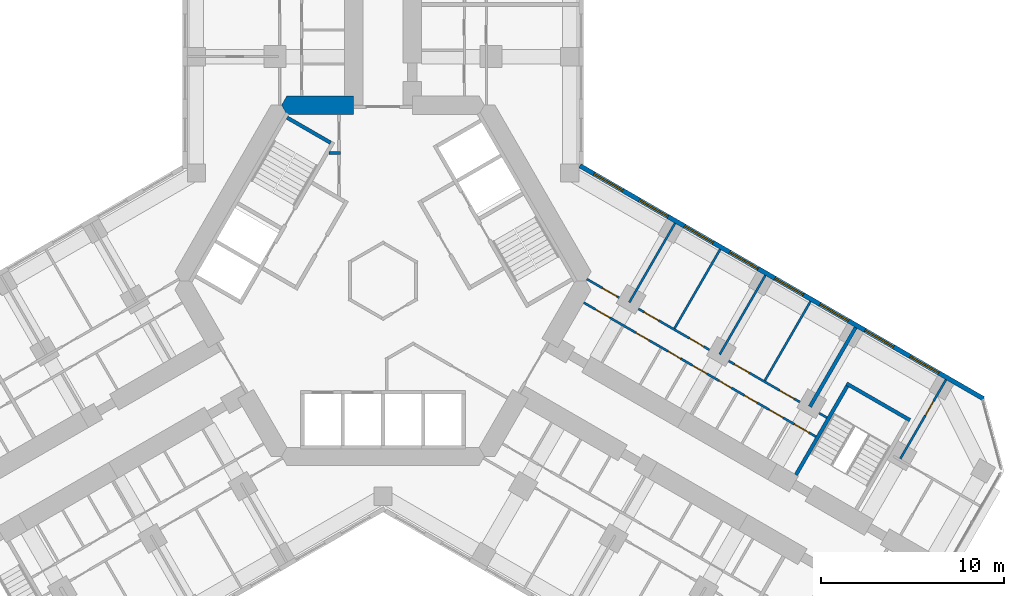
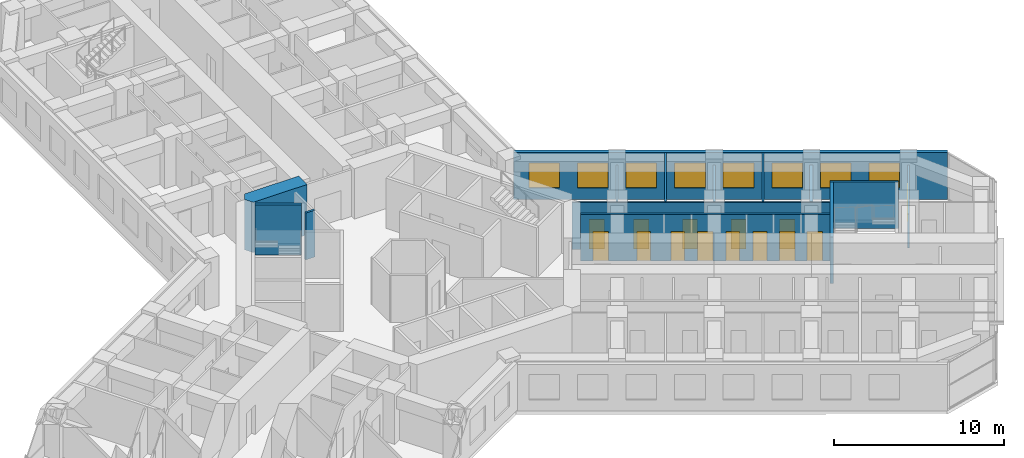
# One storey, part 16 of 21: 14 doors, 14 walls, 8 windows, 22 openings.
"""IFC4 building model written with IfcOpenShell, lengths in metres."""

import ifcopenshell
import ifcopenshell.guid

model = None  # the IFC model being written
_history = None  # IfcOwnerHistory: only IFC2X3 demands one
_inside = {}  # id of a spatial element -> (the spatial element, [elements in it])
_under = {}  # id of a project, library or spatial element -> (it, [spatial elements below it])
_declared = {}  # id of a project -> (the project, [libraries it declares])
_typed = {}  # id of a type object -> (the type object, [elements of that type])
_made_of = {}  # id of a material, layer set ... -> (it, [elements and type objects made of it])


def new_model(schema):
    """Start an empty IFC model of exactly this schema.

    Asked for "IFC4X3", IfcOpenShell would pick the latest addendum, in which some entities
    have other attributes; the version numbers below select the first issue.
    IFC2X3 requires an IfcOwnerHistory on every rooted entity: one is made here for all.
    """
    global model, _history
    if schema == "IFC4X3":
        model = ifcopenshell.file(schema_version=(4, 3, 0, 0))
    else:
        model = ifcopenshell.file(schema=schema)
    _inside.clear()
    _under.clear()
    _declared.clear()
    _typed.clear()
    _made_of.clear()
    _history = None
    if model.schema == "IFC2X3":
        org = make("IfcOrganization", Name="unknown")
        user = make(
            "IfcPersonAndOrganization",
            ThePerson=make("IfcPerson", FamilyName="unknown"),
            TheOrganization=org,
        )
        app = make(
            "IfcApplication",
            ApplicationDeveloper=org,
            Version="unknown",
            ApplicationFullName="unknown",
            ApplicationIdentifier="unknown",
        )
        _history = make(
            "IfcOwnerHistory",
            OwningUser=user,
            OwningApplication=app,
            ChangeAction="ADDED",
            CreationDate=0,
        )
    return model


def make(cls, **values):
    """One entity of the class cls with the attributes given. An attribute that is None is left unset."""
    return model.create_entity(
        cls, **{name: value for name, value in values.items() if value is not None}
    )


def rooted(cls, **values):
    """An entity with a GlobalId (a new one), such as an element, a storey or a relation."""
    return make(cls, GlobalId=ifcopenshell.guid.new(), OwnerHistory=_history, **values)


def si_unit(unit_type, name, prefix=None):
    """IfcSIUnit, for example si_unit("LENGTHUNIT", "METRE", prefix="MILLI")."""
    return make("IfcSIUnit", UnitType=unit_type, Prefix=prefix, Name=name)


def assignment(units):
    """IfcUnitAssignment: the units of a project."""
    return None if units is None else make("IfcUnitAssignment", Units=units)


def point(xyz):
    """IfcCartesianPoint."""
    return None if xyz is None else make("IfcCartesianPoint", Coordinates=xyz)


def direction(xyz):
    """IfcDirection."""
    return None if xyz is None else make("IfcDirection", DirectionRatios=xyz)


def frame(location, z_axis=None, x_axis=None):
    """IfcAxis2Placement3D, a coordinate frame: its origin and axes. An axis left out is left unset."""
    return make(
        "IfcAxis2Placement3D",
        Location=point(location),
        Axis=direction(z_axis),
        RefDirection=direction(x_axis),
    )


def frame_2d(location, x_axis=None):
    """IfcAxis2Placement2D, a coordinate frame in the plane: its origin and x axis."""
    return make(
        "IfcAxis2Placement2D", Location=point(location), RefDirection=direction(x_axis)
    )


def origin():
    """The frame at (0, 0, 0) with its axes left unset."""
    return frame((0.0, 0.0, 0.0))


def place(relative_to, where):
    """IfcLocalPlacement: puts the frame where relative to a parent placement (None: the world)."""
    return make(
        "IfcLocalPlacement", PlacementRelTo=relative_to, RelativePlacement=where
    )


def context(
    kind, dimensions, precision=None, world=None, true_north=None, identifier=None
):
    """IfcGeometricRepresentationContext, for example the 3D "Model" context."""
    return make(
        "IfcGeometricRepresentationContext",
        ContextIdentifier=identifier,
        ContextType=kind,
        CoordinateSpaceDimension=dimensions,
        Precision=precision,
        WorldCoordinateSystem=world,
        TrueNorth=true_north,
    )


def subcontext(parent, identifier, kind, view, scale=None):
    """IfcGeometricRepresentationSubContext, for example "Body" below "Model"."""
    return make(
        "IfcGeometricRepresentationSubContext",
        ContextIdentifier=identifier,
        ContextType=kind,
        ParentContext=parent,
        TargetScale=scale,
        TargetView=view,
    )


def project(units=None, contexts=None):
    """IfcProject with its units and contexts."""
    return rooted(
        "IfcProject",
        Name="project",
        RepresentationContexts=contexts,
        UnitsInContext=assignment(units),
    )


def spatial(cls, under=None, at=None, **own):
    """A site, building, storey or space (cls), placed at a placement, below another one or the project."""
    s = rooted(cls, ObjectPlacement=at, **own)
    if under is not None:
        _under.setdefault(under.id(), (under, []))[1].append(s)
    return s


def polyline(points):
    """IfcPolyline through the points."""
    return make("IfcPolyline", Points=[point(p) for p in points])


def profile(cls, at=None, kind="AREA", **sizes):
    """A parametric profile (cls). Its sizes go by their IFC names, for example OverallWidth=200.0."""
    return make(cls, ProfileType=kind, Position=at, **sizes)


def rectangle(**sizes):
    """IfcRectangleProfileDef."""
    return profile("IfcRectangleProfileDef", **sizes)


def outline(outer, holes=None, kind="AREA"):
    """IfcArbitraryClosedProfileDef: a profile drawn as a closed curve; with holes, ...WithVoids."""
    if holes is None:
        return make("IfcArbitraryClosedProfileDef", ProfileType=kind, OuterCurve=outer)
    return make(
        "IfcArbitraryProfileDefWithVoids",
        ProfileType=kind,
        OuterCurve=outer,
        InnerCurves=holes,
    )


def extrude(swept, where, along, depth):
    """IfcExtrudedAreaSolid: the profile swept, set in the frame where, extruded along a direction by depth."""
    return make(
        "IfcExtrudedAreaSolid",
        SweptArea=swept,
        Position=where,
        ExtrudedDirection=direction(along),
        Depth=depth,
    )


def shape(context_of_items, identifier, shape_type, items):
    """IfcShapeRepresentation: the items that make up one representation, for example the "Body"."""
    return make(
        "IfcShapeRepresentation",
        ContextOfItems=context_of_items,
        RepresentationIdentifier=identifier,
        RepresentationType=shape_type,
        Items=items,
    )


def material(Name=None, Category=None):
    """IfcMaterial."""
    return make("IfcMaterial", Name=Name, Category=Category)


def layer(
    of_material, thickness, ventilated=None, Name=None, Category=None, Priority=None
):
    """IfcMaterialLayer: one layer of a wall or slab, of a material (None: an air gap)."""
    return make(
        "IfcMaterialLayer",
        Material=of_material,
        LayerThickness=thickness,
        IsVentilated=ventilated,
        Name=Name,
        Category=Category,
        Priority=Priority,
    )


def layer_set(layers, Name=None):
    """IfcMaterialLayerSet."""
    return make("IfcMaterialLayerSet", MaterialLayers=layers, LayerSetName=Name)


def made_of(thing, what):
    """Note that an element or type object is made of a material, layer set ...; save() writes the relation."""
    if what is not None:
        _made_of.setdefault(what.id(), (what, []))[1].append(thing)
    return thing


def type_object(cls, material=None, **own):
    """A type object (cls), such as IfcWallType, which elements share."""
    return made_of(rooted(cls, **own), material)


def element(
    cls,
    number,
    at=None,
    inside=None,
    cuts=None,
    type_object=None,
    material=None,
    context=None,
    identifier="Body",
    shape_type=None,
    held_by="IfcProductDefinitionShape",
    body=None,
    shapes=None,
    **own,
):
    """One element of the class cls, such as IfcWall. Its Tag is "e" and its number.

    at: its placement. inside: the storey or other place that contains it. cuts: it is an
    opening in that element (IfcRelVoidsElement). A single representation is given by context,
    identifier, shape_type and body (its items); several are given by shapes. held_by: the class
    of the entity that holds the representations. save() writes the other relations.
    """
    e = rooted(cls, Tag="e%d" % number, ObjectPlacement=at, **own)
    if body is not None:
        shapes = [shape(context, identifier, shape_type, body)]
    if shapes is not None:
        e.Representation = make(held_by, Representations=shapes)
    if inside is not None:
        _inside.setdefault(inside.id(), (inside, []))[1].append(e)
    if cuts is not None:
        rooted(
            "IfcRelVoidsElement", RelatingBuildingElement=cuts, RelatedOpeningElement=e
        )
    if type_object is not None:
        _typed.setdefault(type_object.id(), (type_object, []))[1].append(e)
    return made_of(e, material)


def fill(opening, filler):
    """IfcRelFillsElement: the door or window that sits in an opening."""
    return rooted(
        "IfcRelFillsElement",
        RelatingOpeningElement=opening,
        RelatedBuildingElement=filler,
    )


def aggregate(whole, parts):
    """IfcRelAggregates: a whole, such as a stair, and the parts it consists of."""
    return rooted("IfcRelAggregates", RelatingObject=whole, RelatedObjects=parts)


def save(model, path):
    """Write the relations noted so far, then the file.

    IfcRelAggregates (storeys below a building ...), IfcRelContainedInSpatialStructure (elements
    in a storey), IfcRelDefinesByType, IfcRelAssociatesMaterial and IfcRelDeclares: one each for
    every whole, place, type object, material and project.
    """
    for whole, parts in _under.values():
        aggregate(whole, parts)
    for where, things in _inside.values():
        rooted(
            "IfcRelContainedInSpatialStructure",
            RelatedElements=things,
            RelatingStructure=where,
        )
    for kind, things in _typed.values():
        rooted("IfcRelDefinesByType", RelatedObjects=things, RelatingType=kind)
    for what, things in _made_of.values():
        rooted("IfcRelAssociatesMaterial", RelatedObjects=things, RelatingMaterial=what)
    for by, libraries in _declared.values():
        rooted("IfcRelDeclares", RelatingContext=by, RelatedDefinitions=libraries)
    model.write(path)


model = new_model("IFC4")

# Units and contexts
model_context = context("Model", 3, precision=1e-05, world=origin(), true_north=direction((0.0, 1.0)))
body_context = subcontext(model_context, "Body", "Model", "MODEL_VIEW")
ifc_project = project(units=[si_unit("LENGTHUNIT", "METRE"), si_unit("AREAUNIT", "SQUARE_METRE"), si_unit("VOLUMEUNIT", "CUBIC_METRE"), si_unit("PLANEANGLEUNIT", "RADIAN"), si_unit("MASSUNIT", "GRAM", prefix="KILO")], contexts=[model_context])

# Site, building, storey
site_placement = place(None, origin())
site = spatial("IfcSite", under=ifc_project, at=site_placement, CompositionType="ELEMENT")
building_placement = place(site_placement, origin())
building = spatial("IfcBuilding", under=site, at=building_placement, Name="Kosmar Iwan School Tower", CompositionType="ELEMENT")
storey_placement = place(building_placement, frame((0.0, 0.0, 64.60009765625)))
storey = spatial("IfcBuildingStorey", under=building, at=storey_placement, Name="L15", CompositionType="ELEMENT", Elevation=64.60009765625)

# Walls
ifc_material_1 = material(Name="Gypsum board on steel studs, fire-rated", Category="steel")
ifc_layer_1 = layer(ifc_material_1, 0.14990234375)
ifc_layer_set_1 = layer_set([ifc_layer_1], Name="Core room partition 150")
wall_type_1 = type_object("IfcWallType", Name="Core room partition 150", PredefinedType="PARTITIONING", material=ifc_layer_set_1)
wall_1_placement = place(storey_placement, frame((-2.324951171875, 6.985107421875, 0.0), z_axis=(0.0, 0.0, 1.0), x_axis=(-1.0, 0.0, 0.0)))
element("IfcWall", 1, at=wall_1_placement, inside=storey, type_object=wall_type_1, Name="Core room partition L15-CW2", PredefinedType="PARTITIONING", context=body_context, shape_type="SweptSolid", body=[
    extrude(rectangle(XDim=0.623779296875, YDim=0.14990234375, at=frame_2d((0.31201171875, 0.0))), origin(), (0.0, 0.0, 1.0), 3.349853515625),
])
ifc_material_2 = material(Name="Concrete C50/60", Category="concrete")
ifc_layer_2 = layer(ifc_material_2, 1.0)
ifc_layer_set_2 = layer_set([ifc_layer_2], Name="Core wall 1000")
wall_type_2 = type_object("IfcWallType", Name="Core wall 1000", PredefinedType="SHEAR", material=ifc_layer_set_2)
wall_2_placement = place(storey_placement, origin())
element("IfcWall", 2, at=wall_2_placement, inside=storey, type_object=wall_type_2, Name="Core wall F090b", PredefinedType="SHEAR", context=body_context, shape_type="SweptSolid", body=[
    extrude(outline(polyline([(-5.25390625, 9.10009765625), (-1.60009765625, 9.10009765625), (-1.60009765625, 10.10009765625), (-5.25390625, 10.10009765625), (-5.54248046875, 9.60009765625), (-5.25390625, 9.10009765625)])), origin(), (0.0, 0.0, 1.0), 3.599853515625),
])

# Wall, openings, doors
ifc_material_3 = material(Name="Gypsum board on steel studs", Category="steel")
ifc_layer_3 = layer(ifc_material_3, 0.1201171875)
ifc_layer_set_3 = layer_set([ifc_layer_3], Name="Dwelling partition 120")
wall_type_3 = type_object("IfcWallType", Name="Dwelling partition 120", PredefinedType="PARTITIONING", material=ifc_layer_set_3)
wall_3_placement = place(storey_placement, frame((10.971923828125, -1.1962890625, 0.0), z_axis=(0.0, 0.0, 1.0), x_axis=(0.866026568746, -0.499997982221, 0.0)))
wall_3 = element("IfcWall", 3, at=wall_3_placement, inside=storey, type_object=wall_type_3, Name="Partition L15-CL1-W1", PredefinedType="PARTITIONING", context=body_context, shape_type="SweptSolid", body=[
    extrude(rectangle(XDim=14.64990234375, YDim=0.1201171875, at=frame_2d((7.324951171875, 0.0))), origin(), (0.0, 0.0, 1.0), 3.349853515625),
])
opening_1_placement = place(wall_3_placement, frame((0.75, 0.0, 0.0)))
opening_1 = element("IfcOpeningElement", 4, at=opening_1_placement, cuts=wall_3, Name="Opening D2", PredefinedType="OPENING", context=body_context, shape_type="SweptSolid", body=[
    extrude(rectangle(XDim=0.89990234375, YDim=2.10009765625, at=frame_2d((0.449951171875, 1.050048828125))), frame((0.0, 0.072021484375, 0.0), z_axis=(0.0, -1.0, 0.0), x_axis=(1.0, 0.0, 0.0)), (0.0, 0.0, 1.0), 0.14404296875),
])
opening_2_placement = place(wall_3_placement, frame((3.304931640625, 0.0, 0.0)))
opening_2 = element("IfcOpeningElement", 5, at=opening_2_placement, cuts=wall_3, Name="Opening D3", PredefinedType="OPENING", context=body_context, shape_type="SweptSolid", body=[
    extrude(rectangle(XDim=0.800048828125, YDim=2.10009765625, at=frame_2d((0.39990234375, 1.050048828125))), frame((0.0, 0.072021484375, 0.0), z_axis=(0.0, -1.0, 0.0), x_axis=(1.0, 0.0, 0.0)), (0.0, 0.0, 1.0), 0.14404296875),
])
opening_3_placement = place(wall_3_placement, frame((5.313232421875, 0.0, 0.0)))
opening_3 = element("IfcOpeningElement", 6, at=opening_3_placement, cuts=wall_3, Name="Opening D3", PredefinedType="OPENING", context=body_context, shape_type="SweptSolid", body=[
    extrude(rectangle(XDim=0.800048828125, YDim=2.10009765625, at=frame_2d((0.39990234375, 1.050048828125))), frame((0.0, 0.072021484375, 0.0), z_axis=(0.0, -1.0, 0.0), x_axis=(1.0, 0.0, 0.0)), (0.0, 0.0, 1.0), 0.14404296875),
])
opening_4_placement = place(wall_3_placement, frame((6.8701171875, 0.0, 0.0)))
opening_4 = element("IfcOpeningElement", 7, at=opening_4_placement, cuts=wall_3, Name="Opening D2", PredefinedType="OPENING", context=body_context, shape_type="SweptSolid", body=[
    extrude(rectangle(XDim=0.89990234375, YDim=2.10009765625, at=frame_2d((0.449951171875, 1.050048828125))), frame((0.0, 0.072021484375, 0.0), z_axis=(0.0, -1.0, 0.0), x_axis=(1.0, 0.0, 0.0)), (0.0, 0.0, 1.0), 0.14404296875),
])
opening_5_placement = place(wall_3_placement, frame((8.526611328125, 0.0, 0.0)))
opening_5 = element("IfcOpeningElement", 8, at=opening_5_placement, cuts=wall_3, Name="Opening D3", PredefinedType="OPENING", context=body_context, shape_type="SweptSolid", body=[
    extrude(rectangle(XDim=0.800048828125, YDim=2.10009765625, at=frame_2d((0.39990234375, 1.050048828125))), frame((0.0, 0.072021484375, 0.0), z_axis=(0.0, -1.0, 0.0), x_axis=(1.0, 0.0, 0.0)), (0.0, 0.0, 1.0), 0.14404296875),
])
opening_6_placement = place(wall_3_placement, frame((10.13330078125, 0.0, 0.0)))
opening_6 = element("IfcOpeningElement", 9, at=opening_6_placement, cuts=wall_3, Name="Opening D3", PredefinedType="OPENING", context=body_context, shape_type="SweptSolid", body=[
    extrude(rectangle(XDim=0.800048828125, YDim=2.10009765625, at=frame_2d((0.39990234375, 1.050048828125))), frame((0.0, 0.072021484375, 0.0), z_axis=(0.0, -1.0, 0.0), x_axis=(1.0, 0.0, 0.0)), (0.0, 0.0, 1.0), 0.14404296875),
])
opening_7_placement = place(wall_3_placement, frame((11.68994140625, 0.0, 0.0)))
opening_7 = element("IfcOpeningElement", 10, at=opening_7_placement, cuts=wall_3, Name="Opening D2", PredefinedType="OPENING", context=body_context, shape_type="SweptSolid", body=[
    extrude(rectangle(XDim=0.89990234375, YDim=2.10009765625, at=frame_2d((0.449951171875, 1.050048828125))), frame((0.0, 0.072021484375, 0.0), z_axis=(0.0, -1.0, 0.0), x_axis=(1.0, 0.0, 0.0)), (0.0, 0.0, 1.0), 0.14404296875),
])
opening_8_placement = place(wall_3_placement, frame((13.296630859375, 0.0, 0.0)))
opening_8 = element("IfcOpeningElement", 11, at=opening_8_placement, cuts=wall_3, Name="Opening D2", PredefinedType="OPENING", context=body_context, shape_type="SweptSolid", body=[
    extrude(rectangle(XDim=0.89990234375, YDim=2.10009765625, at=frame_2d((0.449951171875, 1.050048828125))), frame((0.0, 0.072021484375, 0.0), z_axis=(0.0, -1.0, 0.0), x_axis=(1.0, 0.0, 0.0)), (0.0, 0.0, 1.0), 0.14404296875),
])
ifc_material_4 = material(Name="Timber door in timber frame", Category="wood")
door_type_1 = type_object("IfcDoorType", Name="Internal door 900x2100", OperationType="SINGLE_SWING_LEFT", PredefinedType="DOOR", material=ifc_material_4)
door_1_placement = place(opening_1_placement, origin())
door_1 = element("IfcDoor", 12, at=door_1_placement, inside=storey, type_object=door_type_1, Name="Entrance hall door L15-CL1-S1", OperationType="SINGLE_SWING_LEFT", OverallHeight=2.10009765625, OverallWidth=0.89990234375, PredefinedType="DOOR", context=body_context, shape_type="SweptSolid", body=[
    extrude(rectangle(XDim=0.89990234375, YDim=2.10009765625, at=frame_2d((0.449951171875, 1.050048828125))), frame((0.0, 0.02490234375, 0.0), z_axis=(0.0, -1.0, 0.0), x_axis=(1.0, 0.0, 0.0)), (0.0, 0.0, 1.0), 0.050048828125),
])
fill(opening_1, door_1)
door_2_placement = place(opening_4_placement, origin())
door_2 = element("IfcDoor", 13, at=door_2_placement, inside=storey, type_object=door_type_1, Name="Pantry door L15-CL1-S4", OperationType="SINGLE_SWING_LEFT", OverallHeight=2.10009765625, OverallWidth=0.89990234375, PredefinedType="DOOR", context=body_context, shape_type="SweptSolid", body=[
    extrude(rectangle(XDim=0.89990234375, YDim=2.10009765625, at=frame_2d((0.449951171875, 1.050048828125))), frame((0.0, 0.02490234375, 0.0), z_axis=(0.0, -1.0, 0.0), x_axis=(1.0, 0.0, 0.0)), (0.0, 0.0, 1.0), 0.050048828125),
])
fill(opening_4, door_2)
door_3_placement = place(opening_7_placement, origin())
door_3 = element("IfcDoor", 14, at=door_3_placement, inside=storey, type_object=door_type_1, Name="Utility room door L15-CL1-S7", OperationType="SINGLE_SWING_RIGHT", OverallHeight=2.10009765625, OverallWidth=0.89990234375, PredefinedType="DOOR", context=body_context, shape_type="SweptSolid", body=[
    extrude(rectangle(XDim=0.89990234375, YDim=2.10009765625, at=frame_2d((0.449951171875, 1.050048828125))), frame((0.0, 0.02490234375, 0.0), z_axis=(0.0, -1.0, 0.0), x_axis=(1.0, 0.0, 0.0)), (0.0, 0.0, 1.0), 0.050048828125),
])
fill(opening_7, door_3)
door_4_placement = place(opening_8_placement, frame((0.89990234375, 0.0, 0.0), z_axis=(0.0, 0.0, 1.0), x_axis=(-1.0, 0.0, 0.0)))
door_4 = element("IfcDoor", 15, at=door_4_placement, inside=storey, type_object=door_type_1, Name="Dressing room door L15-CL1-S8", OperationType="SINGLE_SWING_LEFT", OverallHeight=2.10009765625, OverallWidth=0.89990234375, PredefinedType="DOOR", context=body_context, shape_type="SweptSolid", body=[
    extrude(rectangle(XDim=0.89990234375, YDim=2.10009765625, at=frame_2d((0.449951171875, 1.050048828125))), frame((0.0, 0.02490234375, 0.0), z_axis=(0.0, -1.0, 0.0), x_axis=(1.0, 0.0, 0.0)), (0.0, 0.0, 1.0), 0.050048828125),
])
fill(opening_8, door_4)
ifc_material_5 = material(Name="Timber door in timber frame", Category="wood")
door_type_2 = type_object("IfcDoorType", Name="Sanitary room door 800x2100", OperationType="SINGLE_SWING_LEFT", PredefinedType="DOOR", material=ifc_material_5)
door_5_placement = place(opening_2_placement, origin())
door_5 = element("IfcDoor", 16, at=door_5_placement, inside=storey, type_object=door_type_2, Name="Bathroom door L15-CL1-S2", OperationType="SINGLE_SWING_LEFT", OverallHeight=2.10009765625, OverallWidth=0.800048828125, PredefinedType="DOOR", context=body_context, shape_type="SweptSolid", body=[
    extrude(rectangle(XDim=0.800048828125, YDim=2.10009765625, at=frame_2d((0.39990234375, 1.050048828125))), frame((0.0, 0.02490234375, 0.0), z_axis=(0.0, -1.0, 0.0), x_axis=(1.0, 0.0, 0.0)), (0.0, 0.0, 1.0), 0.050048828125),
])
fill(opening_2, door_5)
door_6_placement = place(opening_3_placement, origin())
door_6 = element("IfcDoor", 17, at=door_6_placement, inside=storey, type_object=door_type_2, Name="Shower room door L15-CL1-S3", OperationType="SINGLE_SWING_LEFT", OverallHeight=2.10009765625, OverallWidth=0.800048828125, PredefinedType="DOOR", context=body_context, shape_type="SweptSolid", body=[
    extrude(rectangle(XDim=0.800048828125, YDim=2.10009765625, at=frame_2d((0.39990234375, 1.050048828125))), frame((0.0, 0.02490234375, 0.0), z_axis=(0.0, -1.0, 0.0), x_axis=(1.0, 0.0, 0.0)), (0.0, 0.0, 1.0), 0.050048828125),
])
fill(opening_3, door_6)
door_7_placement = place(opening_5_placement, origin())
door_7 = element("IfcDoor", 18, at=door_7_placement, inside=storey, type_object=door_type_2, Name="WC door L15-CL1-S5", OperationType="SINGLE_SWING_RIGHT", OverallHeight=2.10009765625, OverallWidth=0.800048828125, PredefinedType="DOOR", context=body_context, shape_type="SweptSolid", body=[
    extrude(rectangle(XDim=0.800048828125, YDim=2.10009765625, at=frame_2d((0.39990234375, 1.050048828125))), frame((0.0, 0.02490234375, 0.0), z_axis=(0.0, -1.0, 0.0), x_axis=(1.0, 0.0, 0.0)), (0.0, 0.0, 1.0), 0.050048828125),
])
fill(opening_5, door_7)
door_8_placement = place(opening_6_placement, origin())
door_8 = element("IfcDoor", 19, at=door_8_placement, inside=storey, type_object=door_type_2, Name="Store door L15-CL1-S6", OperationType="SINGLE_SWING_RIGHT", OverallHeight=2.10009765625, OverallWidth=0.800048828125, PredefinedType="DOOR", context=body_context, shape_type="SweptSolid", body=[
    extrude(rectangle(XDim=0.800048828125, YDim=2.10009765625, at=frame_2d((0.39990234375, 1.050048828125))), frame((0.0, 0.02490234375, 0.0), z_axis=(0.0, -1.0, 0.0), x_axis=(1.0, 0.0, 0.0)), (0.0, 0.0, 1.0), 0.050048828125),
])
fill(opening_6, door_8)

wall_4_placement = place(storey_placement, frame((11.138916015625, 0.093017578125, 0.0), z_axis=(0.0, 0.0, 1.0), x_axis=(0.866024032363, -0.500002375365, 0.0)))
wall_4 = element("IfcWall", 20, at=wall_4_placement, inside=storey, type_object=wall_type_3, Name="Partition L15-CL1-W2", PredefinedType="PARTITIONING", context=body_context, shape_type="SweptSolid", body=[
    extrude(rectangle(XDim=15.14990234375, YDim=0.1201171875, at=frame_2d((7.574951171875, 0.0))), origin(), (0.0, 0.0, 1.0), 3.349853515625),
])
opening_9_placement = place(wall_4_placement, frame((1.0, 0.0, 0.0)))
opening_9 = element("IfcOpeningElement", 21, at=opening_9_placement, cuts=wall_4, Name="Opening D2", PredefinedType="OPENING", context=body_context, shape_type="SweptSolid", body=[
    extrude(rectangle(XDim=0.89990234375, YDim=2.10009765625, at=frame_2d((0.449951171875, 1.050048828125))), frame((0.0, 0.072021484375, 0.0), z_axis=(0.0, -1.0, 0.0), x_axis=(1.0, 0.0, 0.0)), (0.0, 0.0, 1.0), 0.14404296875),
])
opening_10_placement = place(wall_4_placement, frame((3.625, 0.0, 0.0)))
opening_10 = element("IfcOpeningElement", 22, at=opening_10_placement, cuts=wall_4, Name="Opening D2", PredefinedType="OPENING", context=body_context, shape_type="SweptSolid", body=[
    extrude(rectangle(XDim=0.89990234375, YDim=2.10009765625, at=frame_2d((0.449951171875, 1.050048828125))), frame((0.0, 0.072021484375, 0.0), z_axis=(0.0, -1.0, 0.0), x_axis=(1.0, 0.0, 0.0)), (0.0, 0.0, 1.0), 0.14404296875),
])
opening_11_placement = place(wall_4_placement, frame((6.47509765625, 0.0, 0.0)))
opening_11 = element("IfcOpeningElement", 23, at=opening_11_placement, cuts=wall_4, Name="Opening D2", PredefinedType="OPENING", context=body_context, shape_type="SweptSolid", body=[
    extrude(rectangle(XDim=0.89990234375, YDim=2.10009765625, at=frame_2d((0.449951171875, 1.050048828125))), frame((0.0, 0.072021484375, 0.0), z_axis=(0.0, -1.0, 0.0), x_axis=(1.0, 0.0, 0.0)), (0.0, 0.0, 1.0), 0.14404296875),
])
opening_12_placement = place(wall_4_placement, frame((9.324951171875, 0.0, 0.0)))
opening_12 = element("IfcOpeningElement", 24, at=opening_12_placement, cuts=wall_4, Name="Opening D2", PredefinedType="OPENING", context=body_context, shape_type="SweptSolid", body=[
    extrude(rectangle(XDim=0.89990234375, YDim=2.10009765625, at=frame_2d((0.449951171875, 1.050048828125))), frame((0.0, 0.072021484375, 0.0), z_axis=(0.0, -1.0, 0.0), x_axis=(1.0, 0.0, 0.0)), (0.0, 0.0, 1.0), 0.14404296875),
])
opening_13_placement = place(wall_4_placement, frame((12.175048828125, 0.0, 0.0)))
opening_13 = element("IfcOpeningElement", 25, at=opening_13_placement, cuts=wall_4, Name="Opening D2", PredefinedType="OPENING", context=body_context, shape_type="SweptSolid", body=[
    extrude(rectangle(XDim=0.89990234375, YDim=2.10009765625, at=frame_2d((0.449951171875, 1.050048828125))), frame((0.0, 0.072021484375, 0.0), z_axis=(0.0, -1.0, 0.0), x_axis=(1.0, 0.0, 0.0)), (0.0, 0.0, 1.0), 0.14404296875),
])
door_9_placement = place(opening_9_placement, origin())
door_9 = element("IfcDoor", 26, at=door_9_placement, inside=storey, type_object=door_type_1, Name="Family room door L15-CL1-F1", OperationType="SINGLE_SWING_LEFT", OverallHeight=2.10009765625, OverallWidth=0.89990234375, PredefinedType="DOOR", context=body_context, shape_type="SweptSolid", body=[
    extrude(rectangle(XDim=0.89990234375, YDim=2.10009765625, at=frame_2d((0.449951171875, 1.050048828125))), frame((0.0, 0.02490234375, 0.0), z_axis=(0.0, -1.0, 0.0), x_axis=(1.0, 0.0, 0.0)), (0.0, 0.0, 1.0), 0.050048828125),
])
fill(opening_9, door_9)
door_10_placement = place(opening_10_placement, origin())
door_10 = element("IfcDoor", 27, at=door_10_placement, inside=storey, type_object=door_type_1, Name="Study door L15-CL1-F2", OperationType="SINGLE_SWING_LEFT", OverallHeight=2.10009765625, OverallWidth=0.89990234375, PredefinedType="DOOR", context=body_context, shape_type="SweptSolid", body=[
    extrude(rectangle(XDim=0.89990234375, YDim=2.10009765625, at=frame_2d((0.449951171875, 1.050048828125))), frame((0.0, 0.02490234375, 0.0), z_axis=(0.0, -1.0, 0.0), x_axis=(1.0, 0.0, 0.0)), (0.0, 0.0, 1.0), 0.050048828125),
])
fill(opening_10, door_10)
door_11_placement = place(opening_11_placement, origin())
door_11 = element("IfcDoor", 28, at=door_11_placement, inside=storey, type_object=door_type_1, Name="Bedroom 1 door L15-CL1-F3", OperationType="SINGLE_SWING_RIGHT", OverallHeight=2.10009765625, OverallWidth=0.89990234375, PredefinedType="DOOR", context=body_context, shape_type="SweptSolid", body=[
    extrude(rectangle(XDim=0.89990234375, YDim=2.10009765625, at=frame_2d((0.449951171875, 1.050048828125))), frame((0.0, 0.02490234375, 0.0), z_axis=(0.0, -1.0, 0.0), x_axis=(1.0, 0.0, 0.0)), (0.0, 0.0, 1.0), 0.050048828125),
])
fill(opening_11, door_11)
door_12_placement = place(opening_12_placement, origin())
door_12 = element("IfcDoor", 29, at=door_12_placement, inside=storey, type_object=door_type_1, Name="Living room and kitchen door L15-CL1-F4", OperationType="SINGLE_SWING_LEFT", OverallHeight=2.10009765625, OverallWidth=0.89990234375, PredefinedType="DOOR", context=body_context, shape_type="SweptSolid", body=[
    extrude(rectangle(XDim=0.89990234375, YDim=2.10009765625, at=frame_2d((0.449951171875, 1.050048828125))), frame((0.0, 0.02490234375, 0.0), z_axis=(0.0, -1.0, 0.0), x_axis=(1.0, 0.0, 0.0)), (0.0, 0.0, 1.0), 0.050048828125),
])
fill(opening_12, door_12)
door_13_placement = place(opening_13_placement, origin())
door_13 = element("IfcDoor", 30, at=door_13_placement, inside=storey, type_object=door_type_1, Name="Bedroom 2 door L15-CL1-F5", OperationType="SINGLE_SWING_RIGHT", OverallHeight=2.10009765625, OverallWidth=0.89990234375, PredefinedType="DOOR", context=body_context, shape_type="SweptSolid", body=[
    extrude(rectangle(XDim=0.89990234375, YDim=2.10009765625, at=frame_2d((0.449951171875, 1.050048828125))), frame((0.0, 0.02490234375, 0.0), z_axis=(0.0, -1.0, 0.0), x_axis=(1.0, 0.0, 0.0)), (0.0, 0.0, 1.0), 0.050048828125),
])
fill(opening_13, door_13)

# Walls
wall_5_placement = place(storey_placement, frame((13.4638671875, -1.179931640625, 0.0), z_axis=(0.0, 0.0, 1.0), x_axis=(0.499996339024, 0.86602751744, 0.0)))
element("IfcWall", 31, at=wall_5_placement, inside=storey, type_object=wall_type_3, Name="Partition L15-CL1-X1", PredefinedType="PARTITIONING", context=body_context, shape_type="SweptSolid", body=[
    extrude(rectangle(XDim=4.98974609375, YDim=0.1201171875, at=frame_2d((2.494873046875, 0.0))), origin(), (0.0, 0.0, 1.0), 2.449951171875),
])
wall_6_placement = place(storey_placement, frame((15.931884765625, -2.60498046875, 0.0), z_axis=(0.0, 0.0, 1.0), x_axis=(0.500011847778, 0.866018563358, 0.0)))
element("IfcWall", 32, at=wall_6_placement, inside=storey, type_object=wall_type_3, Name="Partition L15-CL1-X2", PredefinedType="PARTITIONING", context=body_context, shape_type="SweptSolid", body=[
    extrude(rectangle(XDim=4.990234375, YDim=0.1201171875, at=frame_2d((2.4951171875, 0.0))), origin(), (0.0, 0.0, 1.0), 3.349853515625),
])
wall_7_placement = place(storey_placement, frame((18.400146484375, -4.030029296875, 0.0), z_axis=(0.0, 0.0, 1.0), x_axis=(0.500011847778, 0.866018563358, 0.0)))
element("IfcWall", 33, at=wall_7_placement, inside=storey, type_object=wall_type_3, Name="Partition L15-CL1-X3", PredefinedType="PARTITIONING", context=body_context, shape_type="SweptSolid", body=[
    extrude(rectangle(XDim=4.990234375, YDim=0.1201171875, at=frame_2d((2.4951171875, 0.0))), origin(), (0.0, 0.0, 1.0), 2.449951171875),
])
wall_8_placement = place(storey_placement, frame((20.868408203125, -5.455078125, 0.0), z_axis=(0.0, 0.0, 1.0), x_axis=(0.499975153383, 0.86603974851, 0.0)))
element("IfcWall", 34, at=wall_8_placement, inside=storey, type_object=wall_type_3, Name="Partition L15-CL1-X4", PredefinedType="PARTITIONING", context=body_context, shape_type="SweptSolid", body=[
    extrude(rectangle(XDim=4.989990234375, YDim=0.1201171875, at=frame_2d((2.4951171875, 0.0))), origin(), (0.0, 0.0, 1.0), 3.349853515625),
])

# Wall, opening, door
wall_9_placement = place(storey_placement, frame((28.27294921875, -9.72998046875, 0.0), z_axis=(0.0, 0.0, 1.0), x_axis=(0.499975153383, 0.86603974851, 0.0)))
wall_9 = element("IfcWall", 35, at=wall_9_placement, inside=storey, type_object=wall_type_3, Name="Partition L15-CL2-TX", PredefinedType="PARTITIONING", context=body_context, shape_type="SweptSolid", body=[
    extrude(rectangle(XDim=4.989990234375, YDim=0.1201171875, at=frame_2d((2.4951171875, 0.0))), origin(), (0.0, 0.0, 1.0), 2.449951171875),
])
opening_14_placement = place(wall_9_placement, frame((2.739990234375, 0.0, 0.0)))
opening_14 = element("IfcOpeningElement", 36, at=opening_14_placement, cuts=wall_9, Name="Opening D2", PredefinedType="OPENING", context=body_context, shape_type="SweptSolid", body=[
    extrude(rectangle(XDim=0.89990234375, YDim=2.10009765625, at=frame_2d((0.449951171875, 1.050048828125))), frame((0.0, 0.072021484375, 0.0), z_axis=(0.0, -1.0, 0.0), x_axis=(1.0, 0.0, 0.0)), (0.0, 0.0, 1.0), 0.14404296875),
])
door_14_placement = place(opening_14_placement, origin())
door_14 = element("IfcDoor", 37, at=door_14_placement, inside=storey, type_object=door_type_1, Name="Bedroom 1 door L15-CL2-T1", OperationType="SINGLE_SWING_RIGHT", OverallHeight=2.10009765625, OverallWidth=0.89990234375, PredefinedType="DOOR", context=body_context, shape_type="SweptSolid", body=[
    extrude(rectangle(XDim=0.89990234375, YDim=2.10009765625, at=frame_2d((0.449951171875, 1.050048828125))), frame((0.0, 0.02490234375, 0.0), z_axis=(0.0, -1.0, 0.0), x_axis=(1.0, 0.0, 0.0)), (0.0, 0.0, 1.0), 0.050048828125),
])
fill(opening_14, door_14)

# Walls
ifc_material_6 = material(Name="Concrete C35/45", Category="concrete")
ifc_layer_4 = layer(ifc_material_6, 0.199951171875)
ifc_layer_set_4 = layer_set([ifc_layer_4], Name="Escape stair wall 200")
wall_type_4 = type_object("IfcWallType", Name="Escape stair wall 200", PredefinedType="SHEAR", material=ifc_layer_set_4)
wall_10_placement = place(storey_placement, frame((22.57080078125, -10.6064453125, 0.0), z_axis=(0.0, 0.0, 1.0), x_axis=(0.499987231761, 0.866032775405, 0.0)))
element("IfcWall", 38, at=wall_10_placement, inside=storey, type_object=wall_type_4, Name="Stair WS3 wall", PredefinedType="SHEAR", context=body_context, shape_type="SweptSolid", body=[
    extrude(rectangle(XDim=5.800048828125, YDim=0.199951171875, at=frame_2d((2.89990234375, 0.0))), origin(), (0.0, 0.0, 1.0), 3.329833984375),
])
wall_11_placement = place(storey_placement, frame((25.334228515625, -5.6201171875, 0.0), z_axis=(0.0, 0.0, 1.0), x_axis=(0.866026010844, -0.49999894854, 0.0)))
element("IfcWall", 39, at=wall_11_placement, inside=storey, type_object=wall_type_4, Name="Stair WS3 wall", PredefinedType="SHEAR", context=body_context, shape_type="SweptSolid", body=[
    extrude(rectangle(XDim=4.0, YDim=0.199951171875, at=frame_2d((2.0, 0.0))), origin(), (0.0, 0.0, 1.0), 3.329833984375),
])

# Wall, openings, windows
ifc_material_7 = material(Name="Black aluminium rainscreen on insulated framing", Category="aluminium")
ifc_layer_5 = layer(ifc_material_7, 0.25)
ifc_layer_set_5 = layer_set([ifc_layer_5], Name="External wall rainscreen 250")
wall_type_5 = type_object("IfcWallType", Name="External wall rainscreen 250", PredefinedType="SOLIDWALL", material=ifc_layer_set_5)
wall_12_placement = place(storey_placement, frame((10.762451171875, 6.285888671875, 0.0), z_axis=(0.0, 0.0, 1.0), x_axis=(0.866027962024, -0.499995568972, 0.0)))
wall_12 = element("IfcWall", 40, at=wall_12_placement, inside=storey, type_object=wall_type_5, Name="External wall CL L15", PredefinedType="SOLIDWALL", context=body_context, shape_type="SweptSolid", body=[
    extrude(rectangle(XDim=25.457763671875, YDim=0.25, at=frame_2d((12.72900390625, 0.0))), origin(), (0.0, 0.0, 1.0), 3.349853515625),
])
opening_15_placement = place(wall_12_placement, frame((0.8974609375, 0.0, 0.800048828125)))
opening_15 = element("IfcOpeningElement", 41, at=opening_15_placement, cuts=wall_12, Name="Opening W1", PredefinedType="OPENING", context=body_context, shape_type="SweptSolid", body=[
    extrude(rectangle(XDim=1.800048828125, YDim=1.800048828125, at=frame_2d((0.89990234375, 0.89990234375))), frame((0.0, 0.136962890625, 0.0), z_axis=(0.0, -1.0, 0.0), x_axis=(1.0, 0.0, 0.0)), (0.0, 0.0, 1.0), 0.27392578125),
])
opening_16_placement = place(wall_12_placement, frame((3.747314453125, 0.0, 0.800048828125)))
opening_16 = element("IfcOpeningElement", 42, at=opening_16_placement, cuts=wall_12, Name="Opening W1", PredefinedType="OPENING", context=body_context, shape_type="SweptSolid", body=[
    extrude(rectangle(XDim=1.800048828125, YDim=1.800048828125, at=frame_2d((0.89990234375, 0.89990234375))), frame((0.0, 0.136962890625, 0.0), z_axis=(0.0, -1.0, 0.0), x_axis=(1.0, 0.0, 0.0)), (0.0, 0.0, 1.0), 0.27392578125),
])
opening_17_placement = place(wall_12_placement, frame((6.597412109375, 0.0, 0.800048828125)))
opening_17 = element("IfcOpeningElement", 43, at=opening_17_placement, cuts=wall_12, Name="Opening W1", PredefinedType="OPENING", context=body_context, shape_type="SweptSolid", body=[
    extrude(rectangle(XDim=1.800048828125, YDim=1.800048828125, at=frame_2d((0.89990234375, 0.89990234375))), frame((0.0, 0.136962890625, 0.0), z_axis=(0.0, -1.0, 0.0), x_axis=(1.0, 0.0, 0.0)), (0.0, 0.0, 1.0), 0.27392578125),
])
opening_18_placement = place(wall_12_placement, frame((9.447265625, 0.0, 0.800048828125)))
opening_18 = element("IfcOpeningElement", 44, at=opening_18_placement, cuts=wall_12, Name="Opening W1", PredefinedType="OPENING", context=body_context, shape_type="SweptSolid", body=[
    extrude(rectangle(XDim=1.800048828125, YDim=1.800048828125, at=frame_2d((0.89990234375, 0.89990234375))), frame((0.0, 0.136962890625, 0.0), z_axis=(0.0, -1.0, 0.0), x_axis=(1.0, 0.0, 0.0)), (0.0, 0.0, 1.0), 0.27392578125),
])
opening_19_placement = place(wall_12_placement, frame((12.29736328125, 0.0, 0.800048828125)))
opening_19 = element("IfcOpeningElement", 45, at=opening_19_placement, cuts=wall_12, Name="Opening W1", PredefinedType="OPENING", context=body_context, shape_type="SweptSolid", body=[
    extrude(rectangle(XDim=1.800048828125, YDim=1.800048828125, at=frame_2d((0.89990234375, 0.89990234375))), frame((0.0, 0.136962890625, 0.0), z_axis=(0.0, -1.0, 0.0), x_axis=(1.0, 0.0, 0.0)), (0.0, 0.0, 1.0), 0.27392578125),
])
opening_20_placement = place(wall_12_placement, frame((15.1474609375, 0.0, 0.800048828125)))
opening_20 = element("IfcOpeningElement", 46, at=opening_20_placement, cuts=wall_12, Name="Opening W1", PredefinedType="OPENING", context=body_context, shape_type="SweptSolid", body=[
    extrude(rectangle(XDim=1.800048828125, YDim=1.800048828125, at=frame_2d((0.89990234375, 0.89990234375))), frame((0.0, 0.136962890625, 0.0), z_axis=(0.0, -1.0, 0.0), x_axis=(1.0, 0.0, 0.0)), (0.0, 0.0, 1.0), 0.27392578125),
])
opening_21_placement = place(wall_12_placement, frame((17.997314453125, 0.0, 0.800048828125)))
opening_21 = element("IfcOpeningElement", 47, at=opening_21_placement, cuts=wall_12, Name="Opening W1", PredefinedType="OPENING", context=body_context, shape_type="SweptSolid", body=[
    extrude(rectangle(XDim=1.800048828125, YDim=1.800048828125, at=frame_2d((0.89990234375, 0.89990234375))), frame((0.0, 0.136962890625, 0.0), z_axis=(0.0, -1.0, 0.0), x_axis=(1.0, 0.0, 0.0)), (0.0, 0.0, 1.0), 0.27392578125),
])
opening_22_placement = place(wall_12_placement, frame((20.847412109375, 0.0, 0.800048828125)))
opening_22 = element("IfcOpeningElement", 48, at=opening_22_placement, cuts=wall_12, Name="Opening W1", PredefinedType="OPENING", context=body_context, shape_type="SweptSolid", body=[
    extrude(rectangle(XDim=1.800048828125, YDim=1.800048828125, at=frame_2d((0.89990234375, 0.89990234375))), frame((0.0, 0.136962890625, 0.0), z_axis=(0.0, -1.0, 0.0), x_axis=(1.0, 0.0, 0.0)), (0.0, 0.0, 1.0), 0.27392578125),
])
ifc_material_8 = material(Name="Black aluminium frame with dark triple glazing", Category="aluminium")
window_type = type_object("IfcWindowType", Name="Window 1800x1800", PartitioningType="SINGLE_PANEL", PredefinedType="WINDOW", material=ifc_material_8)
window_1_placement = place(opening_15_placement, origin())
window_1 = element("IfcWindow", 49, at=window_1_placement, inside=storey, type_object=window_type, Name="Window CL L15 -1", OverallHeight=1.800048828125, OverallWidth=1.800048828125, PartitioningType="SINGLE_PANEL", PredefinedType="WINDOW", context=body_context, shape_type="SweptSolid", body=[
    extrude(rectangle(XDim=1.800048828125, YDim=1.800048828125, at=frame_2d((0.89990234375, 0.89990234375))), frame((0.0, 0.030029296875, 0.0), z_axis=(0.0, -1.0, 0.0), x_axis=(1.0, 0.0, 0.0)), (0.0, 0.0, 1.0), 0.06005859375),
])
fill(opening_15, window_1)
window_2_placement = place(opening_16_placement, origin())
window_2 = element("IfcWindow", 50, at=window_2_placement, inside=storey, type_object=window_type, Name="Window CL L15 0", OverallHeight=1.800048828125, OverallWidth=1.800048828125, PartitioningType="SINGLE_PANEL", PredefinedType="WINDOW", context=body_context, shape_type="SweptSolid", body=[
    extrude(rectangle(XDim=1.800048828125, YDim=1.800048828125, at=frame_2d((0.89990234375, 0.89990234375))), frame((0.0, 0.030029296875, 0.0), z_axis=(0.0, -1.0, 0.0), x_axis=(1.0, 0.0, 0.0)), (0.0, 0.0, 1.0), 0.06005859375),
])
fill(opening_16, window_2)
window_3_placement = place(opening_17_placement, origin())
window_3 = element("IfcWindow", 51, at=window_3_placement, inside=storey, type_object=window_type, Name="Window CL L15 1", OverallHeight=1.800048828125, OverallWidth=1.800048828125, PartitioningType="SINGLE_PANEL", PredefinedType="WINDOW", context=body_context, shape_type="SweptSolid", body=[
    extrude(rectangle(XDim=1.800048828125, YDim=1.800048828125, at=frame_2d((0.89990234375, 0.89990234375))), frame((0.0, 0.030029296875, 0.0), z_axis=(0.0, -1.0, 0.0), x_axis=(1.0, 0.0, 0.0)), (0.0, 0.0, 1.0), 0.06005859375),
])
fill(opening_17, window_3)
window_4_placement = place(opening_18_placement, origin())
window_4 = element("IfcWindow", 52, at=window_4_placement, inside=storey, type_object=window_type, Name="Window CL L15 2", OverallHeight=1.800048828125, OverallWidth=1.800048828125, PartitioningType="SINGLE_PANEL", PredefinedType="WINDOW", context=body_context, shape_type="SweptSolid", body=[
    extrude(rectangle(XDim=1.800048828125, YDim=1.800048828125, at=frame_2d((0.89990234375, 0.89990234375))), frame((0.0, 0.030029296875, 0.0), z_axis=(0.0, -1.0, 0.0), x_axis=(1.0, 0.0, 0.0)), (0.0, 0.0, 1.0), 0.06005859375),
])
fill(opening_18, window_4)
window_5_placement = place(opening_19_placement, origin())
window_5 = element("IfcWindow", 53, at=window_5_placement, inside=storey, type_object=window_type, Name="Window CL L15 3", OverallHeight=1.800048828125, OverallWidth=1.800048828125, PartitioningType="SINGLE_PANEL", PredefinedType="WINDOW", context=body_context, shape_type="SweptSolid", body=[
    extrude(rectangle(XDim=1.800048828125, YDim=1.800048828125, at=frame_2d((0.89990234375, 0.89990234375))), frame((0.0, 0.030029296875, 0.0), z_axis=(0.0, -1.0, 0.0), x_axis=(1.0, 0.0, 0.0)), (0.0, 0.0, 1.0), 0.06005859375),
])
fill(opening_19, window_5)
window_6_placement = place(opening_20_placement, origin())
window_6 = element("IfcWindow", 54, at=window_6_placement, inside=storey, type_object=window_type, Name="Window CL L15 4", OverallHeight=1.800048828125, OverallWidth=1.800048828125, PartitioningType="SINGLE_PANEL", PredefinedType="WINDOW", context=body_context, shape_type="SweptSolid", body=[
    extrude(rectangle(XDim=1.800048828125, YDim=1.800048828125, at=frame_2d((0.89990234375, 0.89990234375))), frame((0.0, 0.030029296875, 0.0), z_axis=(0.0, -1.0, 0.0), x_axis=(1.0, 0.0, 0.0)), (0.0, 0.0, 1.0), 0.06005859375),
])
fill(opening_20, window_6)
window_7_placement = place(opening_21_placement, origin())
window_7 = element("IfcWindow", 55, at=window_7_placement, inside=storey, type_object=window_type, Name="Window CL L15 5", OverallHeight=1.800048828125, OverallWidth=1.800048828125, PartitioningType="SINGLE_PANEL", PredefinedType="WINDOW", context=body_context, shape_type="SweptSolid", body=[
    extrude(rectangle(XDim=1.800048828125, YDim=1.800048828125, at=frame_2d((0.89990234375, 0.89990234375))), frame((0.0, 0.030029296875, 0.0), z_axis=(0.0, -1.0, 0.0), x_axis=(1.0, 0.0, 0.0)), (0.0, 0.0, 1.0), 0.06005859375),
])
fill(opening_21, window_7)
window_8_placement = place(opening_22_placement, origin())
window_8 = element("IfcWindow", 56, at=window_8_placement, inside=storey, type_object=window_type, Name="Window CL L15 6", OverallHeight=1.800048828125, OverallWidth=1.800048828125, PartitioningType="SINGLE_PANEL", PredefinedType="WINDOW", context=body_context, shape_type="SweptSolid", body=[
    extrude(rectangle(XDim=1.800048828125, YDim=1.800048828125, at=frame_2d((0.89990234375, 0.89990234375))), frame((0.0, 0.030029296875, 0.0), z_axis=(0.0, -1.0, 0.0), x_axis=(1.0, 0.0, 0.0)), (0.0, 0.0, 1.0), 0.06005859375),
])
fill(opening_22, window_8)

# Walls
ifc_material_9 = material(Name="Concrete block masonry", Category="masonry")
ifc_layer_6 = layer(ifc_material_9, 0.199951171875)
ifc_layer_set_6 = layer_set([ifc_layer_6], Name="Party wall 200")
wall_type_6 = type_object("IfcWallType", Name="Party wall 200", PredefinedType="PARTITIONING", material=ifc_layer_set_6)
wall_13_placement = place(storey_placement, frame((23.33642578125, -6.8798828125, 0.0), z_axis=(0.0, 0.0, 1.0), x_axis=(0.500033033937, 0.866006330792, 0.0)))
element("IfcWall", 57, at=wall_13_placement, inside=storey, type_object=wall_type_6, Name="Partition L15-CL2-TB", PredefinedType="PARTITIONING", context=body_context, shape_type="SweptSolid", body=[
    extrude(rectangle(XDim=4.989990234375, YDim=0.199951171875, at=frame_2d((2.4951171875, 0.0))), origin(), (0.0, 0.0, 1.0), 2.449951171875),
])
ifc_material_10 = material(Name="Concrete C50/60", Category="concrete")
ifc_layer_7 = layer(ifc_material_10, 0.199951171875)
ifc_layer_set_7 = layer_set([ifc_layer_7], Name="Stair enclosure wall 200")
wall_type_7 = type_object("IfcWallType", Name="Stair enclosure wall 200", PredefinedType="SHEAR", material=ifc_layer_set_7)
wall_14_placement = place(storey_placement, frame((-2.862548828125, 7.541748046875, 0.0), z_axis=(0.0, 0.0, 1.0), x_axis=(-0.866027397988, 0.499996545922, 0.0)))
element("IfcWall", 58, at=wall_14_placement, inside=storey, type_object=wall_type_7, Name="Stair ST2 wall", PredefinedType="SHEAR", context=body_context, shape_type="SweptSolid", body=[
    extrude(rectangle(XDim=2.75, YDim=0.199951171875, at=frame_2d((1.375, 0.0))), origin(), (0.0, 0.0, 1.0), 3.599853515625),
])

save(model, "model.ifc")
